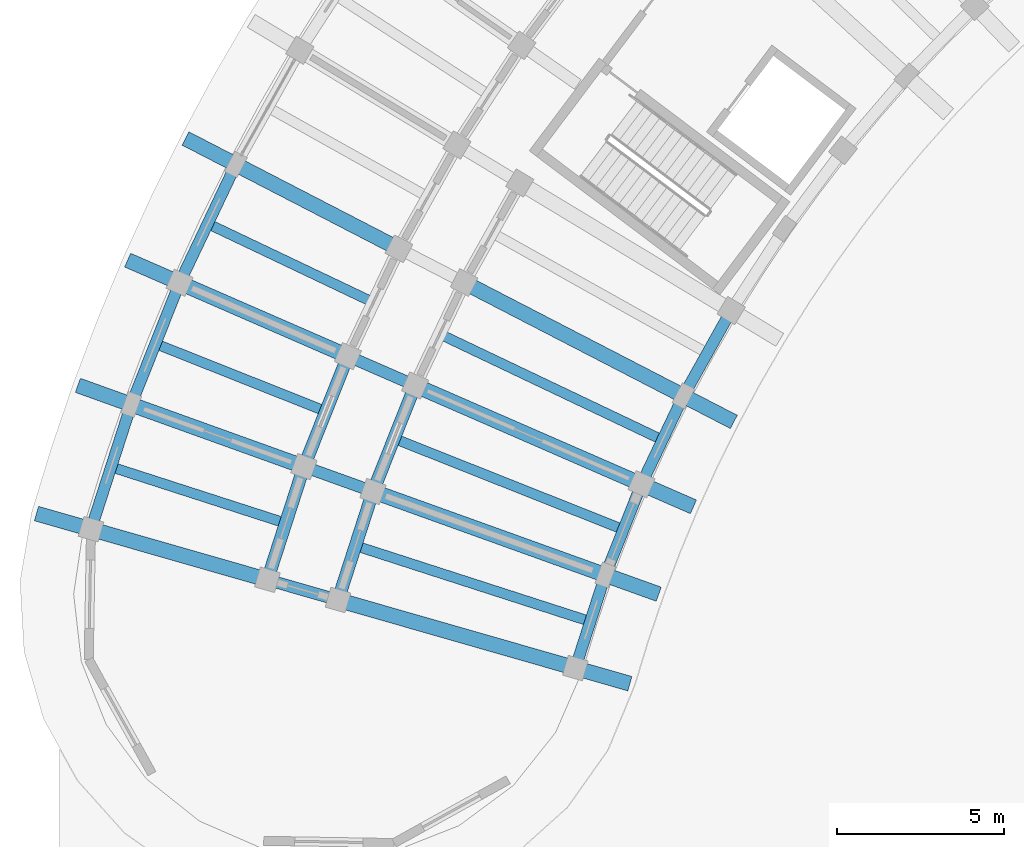
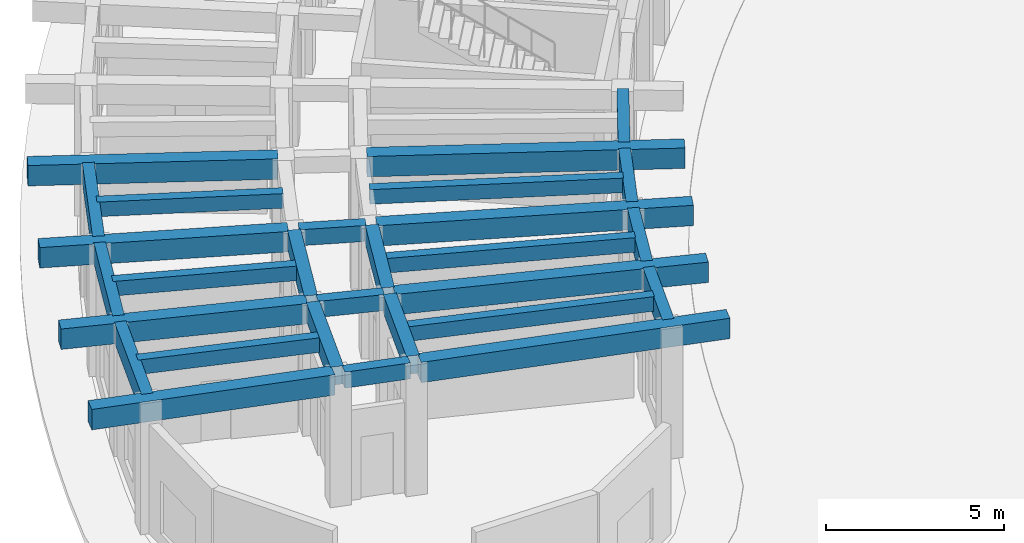
# One storey, part 34 of 132: 28 beams.
"""IFC4 building model written with IfcOpenShell, lengths in metres."""

from ifc_helpers import new_model, si_unit, direction, frame, origin, origin_2d, place, context, subcontext, project, spatial, rectangle, extrude, material, material_profile, profile_set, type_object, element, save


model = new_model("IFC4")

# Units and contexts
model_context = context("Model", 3, precision=1e-05, world=origin(), true_north=direction((0.0, 1.0)))
body_context = subcontext(model_context, "Body", "Model", "MODEL_VIEW")
ifc_project = project(units=[si_unit("LENGTHUNIT", "METRE"), si_unit("AREAUNIT", "SQUARE_METRE"), si_unit("VOLUMEUNIT", "CUBIC_METRE"), si_unit("PLANEANGLEUNIT", "RADIAN"), si_unit("MASSUNIT", "GRAM", prefix="KILO")], contexts=[model_context])

# Site, building, storey
site_placement = place(None, origin())
site = spatial("IfcSite", under=ifc_project, at=site_placement, CompositionType="ELEMENT")
building_placement = place(site_placement, origin())
building = spatial("IfcBuilding", under=site, at=building_placement, Name="Tanwirah Colonnade Gardens", CompositionType="ELEMENT")
storey_placement = place(building_placement, origin())
storey = spatial("IfcBuildingStorey", under=building, at=storey_placement, Name="L00", CompositionType="ELEMENT", Elevation=0.0)

# Beams
ifc_material_1 = material(Name="Precast concrete C40/50", Category="concrete")
ifc_material_profile_1 = material_profile(ifc_material_1, rectangle(XDim=0.35009765625, YDim=0.550048828125, at=origin_2d()), Name="PC-BM 350x550")
ifc_profile_set_1 = profile_set([ifc_material_profile_1], Name="Precast concrete C40/50")
beam_type_1 = type_object("IfcBeamType", Name="BM-PC350A", PredefinedType="BEAM", material=ifc_profile_set_1)
for number, where, z_axis, x_axis, name in (
    (1, (17.3330078125, 80.981201171875, 4.2099609375), (-0.916681481826, 0.399618644306, 0.0), (-0.399618644306, -0.916681481826, 0.0), "Block A L00 Corridor Tie Beam 16"),
    (2, (16.0673828125, 77.79541015625, 4.2099609375), (-0.941021664552, 0.338346311999, 0.0), (-0.338346311999, -0.941021664552, 0.0), "Block A L00 Corridor Tie Beam 17"),
    (3, (15.014404296875, 74.533203125, 4.2099609375), (-0.961266538157, 0.275620468433, 0.0), (-0.275620468433, -0.961266538157, 0.0), "Block A L00 Corridor Tie Beam 18"),
):
    element("IfcBeam", number, at=place(storey_placement, frame(where, z_axis=z_axis, x_axis=x_axis)), inside=storey, type_object=beam_type_1, Name=name, PredefinedType="BEAM", context=body_context, shape_type="SweptSolid", body=[
        extrude(rectangle(XDim=0.35009765625, YDim=0.550048828125, at=origin_2d()), origin(), (0.0, 0.0, 1.0), 1.89990234375),
    ])
ifc_material_profile_2 = material_profile(ifc_material_1, rectangle(XDim=0.3798828125, YDim=0.6201171875, at=origin_2d()), Name="PC-BM 380x620")
ifc_profile_set_2 = profile_set([ifc_material_profile_2], Name="Precast concrete C40/50")
beam_type_2 = type_object("IfcBeamType", Name="BM-PC380", PredefinedType="BEAM", material=ifc_profile_set_2)
beam_1_placement = place(storey_placement, frame((17.4150390625, 80.78173828125, 4.175048828125), z_axis=(-0.369189105832, -0.929354294193, 0.0), x_axis=(0.929354294193, -0.369189105832, 0.0)))
element("IfcBeam", 4, at=beam_1_placement, inside=storey, type_object=beam_type_2, Name="Block A L00 Circumferential Beam 16-R1", PredefinedType="BEAM", context=body_context, shape_type="SweptSolid", body=[
    extrude(rectangle(XDim=0.3798828125, YDim=0.6201171875, at=origin_2d()), origin(), (0.0, 0.0, 1.0), 3.117919921875),
])
beam_2_placement = place(storey_placement, frame((15.3984375, 81.6611328125, 4.175048828125), z_axis=(-0.369209712056, -0.929346108037, 0.0), x_axis=(0.929346108037, -0.369209712056, 0.0)))
element("IfcBeam", 5, at=beam_2_placement, inside=storey, type_object=beam_type_2, Name="Block A L00 Circumferential Beam 16-R2", PredefinedType="BEAM", context=body_context, shape_type="SweptSolid", body=[
    extrude(rectangle(XDim=0.3798828125, YDim=0.6201171875, at=origin_2d()), origin(), (0.0, 0.0, 1.0), 3.26318359375),
])
beam_3_placement = place(storey_placement, frame((16.162353515625, 77.601806640625, 4.175048828125), z_axis=(-0.307169780148, -0.951654730542, 0.0), x_axis=(0.951654730542, -0.307169780148, 0.0)))
element("IfcBeam", 6, at=beam_3_placement, inside=storey, type_object=beam_type_2, Name="Block A L00 Circumferential Beam 17-R1", PredefinedType="BEAM", context=body_context, shape_type="SweptSolid", body=[
    extrude(rectangle(XDim=0.3798828125, YDim=0.6201171875, at=origin_2d()), origin(), (0.0, 0.0, 1.0), 3.117919921875),
])
beam_4_placement = place(storey_placement, frame((14.09228515625, 78.34619140625, 4.175048828125), z_axis=(-0.307212636327, -0.9516408966, 0.0), x_axis=(0.9516408966, -0.307212636327, 0.0)))
element("IfcBeam", 7, at=beam_4_placement, inside=storey, type_object=beam_type_2, Name="Block A L00 Circumferential Beam 17-R2", PredefinedType="BEAM", context=body_context, shape_type="SweptSolid", body=[
    extrude(rectangle(XDim=0.3798828125, YDim=0.6201171875, at=origin_2d()), origin(), (0.0, 0.0, 1.0), 3.262939453125),
])
ifc_material_2 = material(Name="Precast concrete C45/55", Category="concrete")
ifc_material_profile_3 = material_profile(ifc_material_2, rectangle(XDim=0.449951171875, YDim=0.699951171875, at=origin_2d()), Name="PC-BM 450x700")
ifc_profile_set_3 = profile_set([ifc_material_profile_3], Name="Precast concrete C45/55")
beam_type_3 = type_object("IfcBeamType", Name="BM-PC450", PredefinedType="BEAM", material=ifc_profile_set_3)
beam_5_placement = place(storey_placement, frame((19.072265625, 83.93896484375, 4.135009765625), z_axis=(0.888345427876, -0.459175784175, 0.0), x_axis=(0.459175784175, 0.888345427876, 0.0)))
element("IfcBeam", 8, at=beam_5_placement, inside=storey, type_object=beam_type_3, Name="Block A L00 Inner Radial Precast Girder 15", PredefinedType="BEAM", context=body_context, shape_type="SweptSolid", body=[
    extrude(rectangle(XDim=0.449951171875, YDim=0.699951171875, at=origin_2d()), origin(), (0.0, 0.0, 1.0), 8.949951171875),
])
beam_6_placement = place(storey_placement, frame((16.851318359375, 85.0869140625, 4.135009765625), z_axis=(-0.888348690665, 0.459169471758, 0.0), x_axis=(-0.459169471758, -0.888348690665, 0.0)))
element("IfcBeam", 9, at=beam_6_placement, inside=storey, type_object=beam_type_3, Name="Block A L00 Outer Radial Precast Girder 15", PredefinedType="BEAM", context=body_context, shape_type="SweptSolid", body=[
    extrude(rectangle(XDim=0.449951171875, YDim=0.699951171875, at=origin_2d()), origin(), (0.0, 0.0, 1.0), 7.0498046875),
])
beam_7_placement = place(storey_placement, frame((17.60791015625, 80.861328125, 4.135009765625), z_axis=(0.916669317869, -0.399646545934, 0.0), x_axis=(0.399646545934, 0.916669317869, 0.0)))
element("IfcBeam", 10, at=beam_7_placement, inside=storey, type_object=beam_type_3, Name="Block A L00 Inner Radial Precast Girder 16", PredefinedType="BEAM", context=body_context, shape_type="SweptSolid", body=[
    extrude(rectangle(XDim=0.449951171875, YDim=0.699951171875, at=origin_2d()), origin(), (0.0, 0.0, 1.0), 8.9501953125),
])
beam_8_placement = place(storey_placement, frame((15.31640625, 81.8603515625, 4.135009765625), z_axis=(-0.916678725612, 0.399624966702, 0.0), x_axis=(-0.399624966702, -0.916678725612, 0.0)))
element("IfcBeam", 11, at=beam_8_placement, inside=storey, type_object=beam_type_3, Name="Block A L00 Outer Radial Precast Girder 16", PredefinedType="BEAM", context=body_context, shape_type="SweptSolid", body=[
    extrude(rectangle(XDim=0.449951171875, YDim=0.699951171875, at=origin_2d()), origin(), (0.0, 0.0, 1.0), 7.050048828125),
])
beam_9_placement = place(storey_placement, frame((16.349609375, 77.69384765625, 4.135009765625), z_axis=(0.941017049702, -0.338359146723, 0.0), x_axis=(0.338359146723, 0.941017049702, 0.0)))
element("IfcBeam", 12, at=beam_9_placement, inside=storey, type_object=beam_type_3, Name="Block A L00 Inner Radial Precast Girder 17", PredefinedType="BEAM", context=body_context, shape_type="SweptSolid", body=[
    extrude(rectangle(XDim=0.449951171875, YDim=0.699951171875, at=origin_2d()), origin(), (0.0, 0.0, 1.0), 8.949951171875),
])
beam_10_placement = place(storey_placement, frame((13.9970703125, 78.539794921875, 4.135009765625), z_axis=(-0.941011841171, 0.338373631917, 0.0), x_axis=(-0.338373631917, -0.941011841171, 0.0)))
element("IfcBeam", 13, at=beam_10_placement, inside=storey, type_object=beam_type_3, Name="Block A L00 Outer Radial Precast Girder 17", PredefinedType="BEAM", context=body_context, shape_type="SweptSolid", body=[
    extrude(rectangle(XDim=0.449951171875, YDim=0.699951171875, at=origin_2d()), origin(), (0.0, 0.0, 1.0), 7.0498046875),
])
beam_11_placement = place(storey_placement, frame((15.302734375, 74.450439453125, 4.135009765625), z_axis=(0.961258954076, -0.275646917646, 0.0), x_axis=(0.275646917646, 0.961258954076, 0.0)))
element("IfcBeam", 14, at=beam_11_placement, inside=storey, type_object=beam_type_3, Name="Block A L00 Inner Radial Precast Girder 18", PredefinedType="BEAM", context=body_context, shape_type="SweptSolid", body=[
    extrude(rectangle(XDim=0.449951171875, YDim=0.699951171875, at=origin_2d()), origin(), (0.0, 0.0, 1.0), 8.949951171875),
])
beam_12_placement = place(storey_placement, frame((12.899658203125, 75.1396484375, 4.135009765625), z_axis=(-0.961266085595, 0.275622046806, 0.0), x_axis=(-0.275622046806, -0.961266085595, 0.0)))
element("IfcBeam", 15, at=beam_12_placement, inside=storey, type_object=beam_type_3, Name="Block A L00 Outer Radial Precast Girder 18", PredefinedType="BEAM", context=body_context, shape_type="SweptSolid", body=[
    extrude(rectangle(XDim=0.449951171875, YDim=0.699951171875, at=origin_2d()), origin(), (0.0, 0.0, 1.0), 7.0498046875),
])
ifc_material_profile_4 = material_profile(ifc_material_1, rectangle(XDim=0.300048828125, YDim=0.5, at=origin_2d()), Name="PC-JST 300x500")
ifc_profile_set_4 = profile_set([ifc_material_profile_4], Name="Precast concrete C40/50")
beam_type_4 = type_object("IfcBeamType", Name="JST-PC300", PredefinedType="JOIST", material=ifc_profile_set_4)
beam_13_placement = place(storey_placement, frame((16.08447265625, 83.473388671875, 4.235107421875), z_axis=(-0.903018314862, 0.429602051931, 0.0), x_axis=(-0.429602051931, -0.903018314862, 0.0)))
element("IfcBeam", 16, at=beam_13_placement, inside=storey, type_object=beam_type_4, Name="Block A L00 Precast Floor Joist 15", PredefinedType="JOIST", context=body_context, shape_type="SweptSolid", body=[
    extrude(rectangle(XDim=0.300048828125, YDim=0.5, at=origin_2d()), origin(), (0.0, 0.0, 1.0), 5.26025390625),
])
beam_14_placement = place(storey_placement, frame((24.753173828125, 79.348876953125, 4.235107421875), z_axis=(-0.903005429363, 0.429629136048, 0.0), x_axis=(-0.429629136048, -0.903005429363, 0.0)))
element("IfcBeam", 17, at=beam_14_placement, inside=storey, type_object=beam_type_4, Name="Block A L00 Inner Precast Floor Joist 15", PredefinedType="JOIST", context=body_context, shape_type="SweptSolid", body=[
    extrude(rectangle(XDim=0.300048828125, YDim=0.5, at=origin_2d()), origin(), (0.0, 0.0, 1.0), 7.16015625),
])
beam_15_placement = place(storey_placement, frame((14.6572265625, 80.199951171875, 4.235107421875), z_axis=(-0.929357539836, 0.369180935517, 0.0), x_axis=(-0.369180935517, -0.929357539836, 0.0)))
element("IfcBeam", 18, at=beam_15_placement, inside=storey, type_object=beam_type_4, Name="Block A L00 Precast Floor Joist 16", PredefinedType="JOIST", context=body_context, shape_type="SweptSolid", body=[
    extrude(rectangle(XDim=0.300048828125, YDim=0.5, at=origin_2d()), origin(), (0.0, 0.0, 1.0), 5.260009765625),
])
beam_16_placement = place(storey_placement, frame((23.578857421875, 76.655517578125, 4.235107421875), z_axis=(-0.929344232768, 0.369214432303, 0.0), x_axis=(-0.369214432303, -0.929344232768, 0.0)))
element("IfcBeam", 19, at=beam_16_placement, inside=storey, type_object=beam_type_4, Name="Block A L00 Inner Precast Floor Joist 16", PredefinedType="JOIST", context=body_context, shape_type="SweptSolid", body=[
    extrude(rectangle(XDim=0.300048828125, YDim=0.5, at=origin_2d()), origin(), (0.0, 0.0, 1.0), 7.159912109375),
])
beam_17_placement = place(storey_placement, frame((13.448974609375, 76.839599609375, 4.235107421875), z_axis=(-0.951656985441, 0.307162794072, 0.0), x_axis=(-0.307162794072, -0.951656985441, 0.0)))
element("IfcBeam", 20, at=beam_17_placement, inside=storey, type_object=beam_type_4, Name="Block A L00 Precast Floor Joist 17", PredefinedType="JOIST", context=body_context, shape_type="SweptSolid", body=[
    extrude(rectangle(XDim=0.300048828125, YDim=0.5, at=origin_2d()), origin(), (0.0, 0.0, 1.0), 5.26025390625),
])
beam_18_placement = place(storey_placement, frame((22.584716796875, 73.890625, 4.235107421875), z_axis=(-0.951647858625, 0.307191069489, 0.0), x_axis=(-0.307191069489, -0.951647858625, 0.0)))
element("IfcBeam", 21, at=beam_18_placement, inside=storey, type_object=beam_type_4, Name="Block A L00 Inner Precast Floor Joist 17", PredefinedType="JOIST", context=body_context, shape_type="SweptSolid", body=[
    extrude(rectangle(XDim=0.300048828125, YDim=0.5, at=origin_2d()), origin(), (0.0, 0.0, 1.0), 7.159912109375),
])
ifc_material_profile_5 = material_profile(ifc_material_2, rectangle(XDim=0.340087890625, YDim=0.699951171875, at=origin_2d()), Name="PC-SP 340x700")
ifc_profile_set_5 = profile_set([ifc_material_profile_5], Name="Precast concrete C45/55")
beam_type_5 = type_object("IfcBeamType", Name="SP-PC340", PredefinedType="SPANDREL", material=ifc_profile_set_5)
beam_19_placement = place(storey_placement, frame((26.8701171875, 83.036376953125, 4.135009765625), z_axis=(-0.488170837957, -0.872748092503, 0.0), x_axis=(0.872748092503, -0.488170837957, 0.0)))
element("IfcBeam", 22, at=beam_19_placement, inside=storey, type_object=beam_type_5, Name="Block A L00 Circumferential Beam 14-R0", PredefinedType="SPANDREL", context=body_context, shape_type="SweptSolid", body=[
    extrude(rectangle(XDim=0.340087890625, YDim=0.699951171875, at=origin_2d()), origin(), (0.0, 0.0, 1.0), 2.630126953125),
])
beam_20_placement = place(storey_placement, frame((25.448486328125, 80.474609375, 4.135009765625), z_axis=(-0.42964173036, -0.902999437172, 0.0), x_axis=(0.902999437172, -0.42964173036, 0.0)))
element("IfcBeam", 23, at=beam_20_placement, inside=storey, type_object=beam_type_5, Name="Block A L00 Circumferential Beam 15-R0", PredefinedType="SPANDREL", context=body_context, shape_type="SweptSolid", body=[
    extrude(rectangle(XDim=0.340087890625, YDim=0.699951171875, at=origin_2d()), origin(), (0.0, 0.0, 1.0), 2.63037109375),
])
beam_21_placement = place(storey_placement, frame((12.0341796875, 87.407958984375, 4.135009765625), z_axis=(-0.429593766142, -0.903022256698, 0.0), x_axis=(0.903022256698, -0.429593766142, 0.0)))
element("IfcBeam", 24, at=beam_21_placement, inside=storey, type_object=beam_type_5, Name="Block A L00 Circumferential Beam 15-R3", PredefinedType="SPANDREL", context=body_context, shape_type="SweptSolid", body=[
    extrude(rectangle(XDim=0.340087890625, YDim=0.699951171875, at=origin_2d()), origin(), (0.0, 0.0, 1.0), 3.625732421875),
])
beam_22_placement = place(storey_placement, frame((24.198486328125, 77.824462890625, 4.135009765625), z_axis=(-0.369245181709, -0.929332015904, 0.0), x_axis=(0.929332015904, -0.369245181709, 0.0)))
element("IfcBeam", 25, at=beam_22_placement, inside=storey, type_object=beam_type_5, Name="Block A L00 Circumferential Beam 16-R0", PredefinedType="SPANDREL", context=body_context, shape_type="SweptSolid", body=[
    extrude(rectangle(XDim=0.340087890625, YDim=0.699951171875, at=origin_2d()), origin(), (0.0, 0.0, 1.0), 2.630126953125),
])
beam_23_placement = place(storey_placement, frame((10.356689453125, 83.859130859375, 4.135009765625), z_axis=(-0.369195460985, -0.929351769562, 0.0), x_axis=(0.929351769562, -0.369195460985, 0.0)))
element("IfcBeam", 26, at=beam_23_placement, inside=storey, type_object=beam_type_5, Name="Block A L00 Circumferential Beam 16-R3", PredefinedType="SPANDREL", context=body_context, shape_type="SweptSolid", body=[
    extrude(rectangle(XDim=0.340087890625, YDim=0.699951171875, at=origin_2d()), origin(), (0.0, 0.0, 1.0), 3.625732421875),
])
beam_24_placement = place(storey_placement, frame((23.1259765625, 75.097900390625, 4.135009765625), z_axis=(-0.307219720817, -0.951638609526, 0.0), x_axis=(0.951638609526, -0.307219720817, 0.0)))
element("IfcBeam", 27, at=beam_24_placement, inside=storey, type_object=beam_type_5, Name="Block A L00 Circumferential Beam 17-R0", PredefinedType="SPANDREL", context=body_context, shape_type="SweptSolid", body=[
    extrude(rectangle(XDim=0.340087890625, YDim=0.699951171875, at=origin_2d()), origin(), (0.0, 0.0, 1.0), 2.63037109375),
])
beam_25_placement = place(storey_placement, frame((8.916748046875, 80.207275390625, 4.135009765625), z_axis=(-0.307183773768, -0.951650213647, 0.0), x_axis=(0.951650213647, -0.307183773768, 0.0)))
element("IfcBeam", 28, at=beam_25_placement, inside=storey, type_object=beam_type_5, Name="Block A L00 Circumferential Beam 17-R3", PredefinedType="SPANDREL", context=body_context, shape_type="SweptSolid", body=[
    extrude(rectangle(XDim=0.340087890625, YDim=0.699951171875, at=origin_2d()), origin(), (0.0, 0.0, 1.0), 3.625732421875),
])

save(model, "model.ifc")
